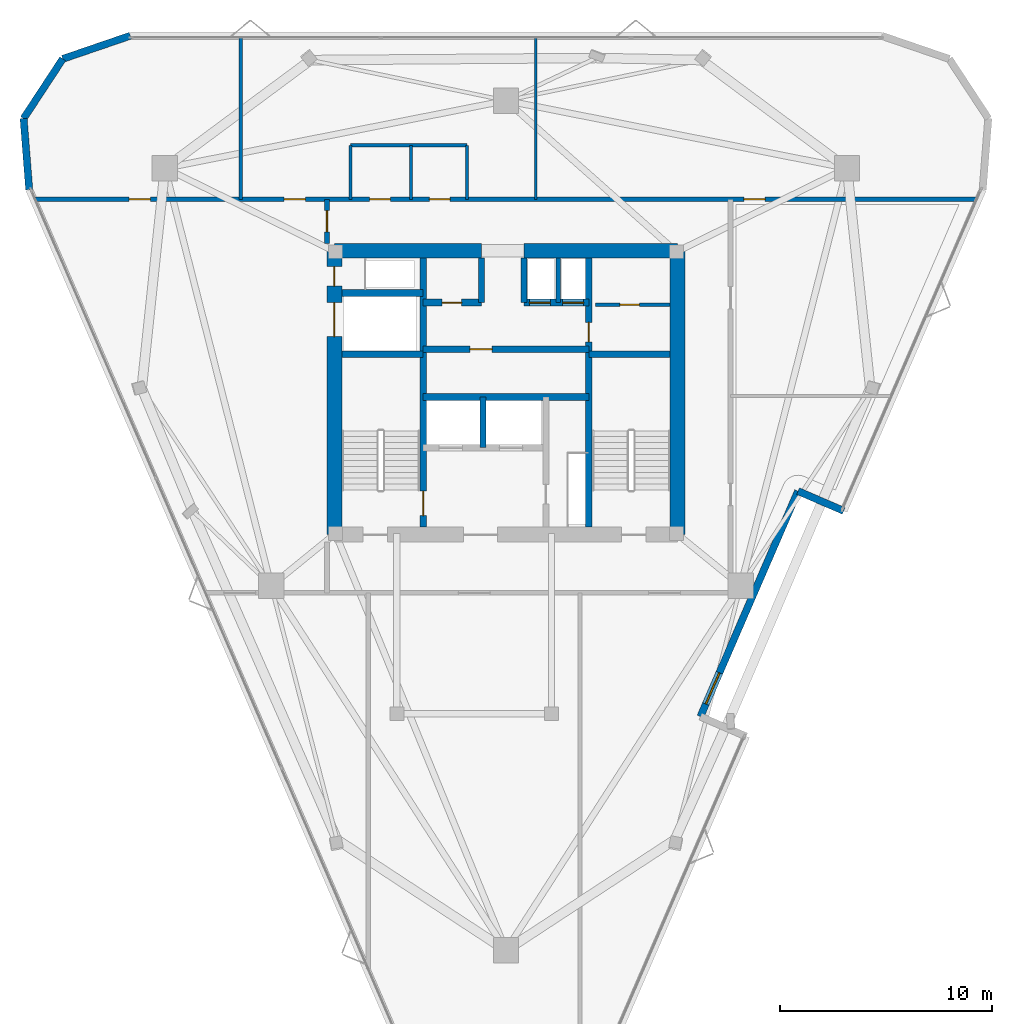
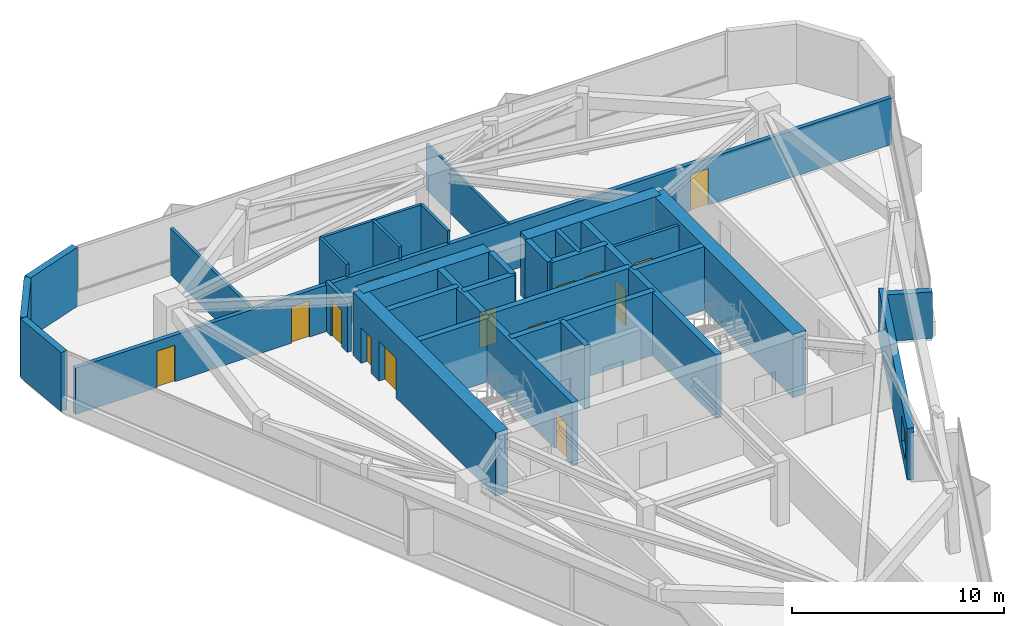
# One storey, part 8 of 10: 31 walls, 15 doors, 1 window, 16 openings.
"""IFC4 building model written with IfcOpenShell, lengths in metres."""

import ifcopenshell
import ifcopenshell.guid

model = None  # the IFC model being written
_history = None  # IfcOwnerHistory: only IFC2X3 demands one
_inside = {}  # id of a spatial element -> (the spatial element, [elements in it])
_under = {}  # id of a project, library or spatial element -> (it, [spatial elements below it])
_declared = {}  # id of a project -> (the project, [libraries it declares])
_typed = {}  # id of a type object -> (the type object, [elements of that type])
_made_of = {}  # id of a material, layer set ... -> (it, [elements and type objects made of it])


def new_model(schema):
    """Start an empty IFC model of exactly this schema.

    Asked for "IFC4X3", IfcOpenShell would pick the latest addendum, in which some entities
    have other attributes; the version numbers below select the first issue.
    IFC2X3 requires an IfcOwnerHistory on every rooted entity: one is made here for all.
    """
    global model, _history
    if schema == "IFC4X3":
        model = ifcopenshell.file(schema_version=(4, 3, 0, 0))
    else:
        model = ifcopenshell.file(schema=schema)
    _inside.clear()
    _under.clear()
    _declared.clear()
    _typed.clear()
    _made_of.clear()
    _history = None
    if model.schema == "IFC2X3":
        org = make("IfcOrganization", Name="unknown")
        user = make(
            "IfcPersonAndOrganization",
            ThePerson=make("IfcPerson", FamilyName="unknown"),
            TheOrganization=org,
        )
        app = make(
            "IfcApplication",
            ApplicationDeveloper=org,
            Version="unknown",
            ApplicationFullName="unknown",
            ApplicationIdentifier="unknown",
        )
        _history = make(
            "IfcOwnerHistory",
            OwningUser=user,
            OwningApplication=app,
            ChangeAction="ADDED",
            CreationDate=0,
        )
    return model


def make(cls, **values):
    """One entity of the class cls with the attributes given. An attribute that is None is left unset."""
    return model.create_entity(
        cls, **{name: value for name, value in values.items() if value is not None}
    )


def rooted(cls, **values):
    """An entity with a GlobalId (a new one), such as an element, a storey or a relation."""
    return make(cls, GlobalId=ifcopenshell.guid.new(), OwnerHistory=_history, **values)


def si_unit(unit_type, name, prefix=None):
    """IfcSIUnit, for example si_unit("LENGTHUNIT", "METRE", prefix="MILLI")."""
    return make("IfcSIUnit", UnitType=unit_type, Prefix=prefix, Name=name)


def assignment(units):
    """IfcUnitAssignment: the units of a project."""
    return None if units is None else make("IfcUnitAssignment", Units=units)


def point(xyz):
    """IfcCartesianPoint."""
    return None if xyz is None else make("IfcCartesianPoint", Coordinates=xyz)


def direction(xyz):
    """IfcDirection."""
    return None if xyz is None else make("IfcDirection", DirectionRatios=xyz)


def frame(location, z_axis=None, x_axis=None):
    """IfcAxis2Placement3D, a coordinate frame: its origin and axes. An axis left out is left unset."""
    return make(
        "IfcAxis2Placement3D",
        Location=point(location),
        Axis=direction(z_axis),
        RefDirection=direction(x_axis),
    )


def frame_2d(location, x_axis=None):
    """IfcAxis2Placement2D, a coordinate frame in the plane: its origin and x axis."""
    return make(
        "IfcAxis2Placement2D", Location=point(location), RefDirection=direction(x_axis)
    )


def origin():
    """The frame at (0, 0, 0) with its axes left unset."""
    return frame((0.0, 0.0, 0.0))


def place(relative_to, where):
    """IfcLocalPlacement: puts the frame where relative to a parent placement (None: the world)."""
    return make(
        "IfcLocalPlacement", PlacementRelTo=relative_to, RelativePlacement=where
    )


def context(
    kind, dimensions, precision=None, world=None, true_north=None, identifier=None
):
    """IfcGeometricRepresentationContext, for example the 3D "Model" context."""
    return make(
        "IfcGeometricRepresentationContext",
        ContextIdentifier=identifier,
        ContextType=kind,
        CoordinateSpaceDimension=dimensions,
        Precision=precision,
        WorldCoordinateSystem=world,
        TrueNorth=true_north,
    )


def subcontext(parent, identifier, kind, view, scale=None):
    """IfcGeometricRepresentationSubContext, for example "Body" below "Model"."""
    return make(
        "IfcGeometricRepresentationSubContext",
        ContextIdentifier=identifier,
        ContextType=kind,
        ParentContext=parent,
        TargetScale=scale,
        TargetView=view,
    )


def project(units=None, contexts=None):
    """IfcProject with its units and contexts."""
    return rooted(
        "IfcProject",
        Name="project",
        RepresentationContexts=contexts,
        UnitsInContext=assignment(units),
    )


def spatial(cls, under=None, at=None, **own):
    """A site, building, storey or space (cls), placed at a placement, below another one or the project."""
    s = rooted(cls, ObjectPlacement=at, **own)
    if under is not None:
        _under.setdefault(under.id(), (under, []))[1].append(s)
    return s


def profile(cls, at=None, kind="AREA", **sizes):
    """A parametric profile (cls). Its sizes go by their IFC names, for example OverallWidth=200.0."""
    return make(cls, ProfileType=kind, Position=at, **sizes)


def rectangle(**sizes):
    """IfcRectangleProfileDef."""
    return profile("IfcRectangleProfileDef", **sizes)


def extrude(swept, where, along, depth):
    """IfcExtrudedAreaSolid: the profile swept, set in the frame where, extruded along a direction by depth."""
    return make(
        "IfcExtrudedAreaSolid",
        SweptArea=swept,
        Position=where,
        ExtrudedDirection=direction(along),
        Depth=depth,
    )


def shape(context_of_items, identifier, shape_type, items):
    """IfcShapeRepresentation: the items that make up one representation, for example the "Body"."""
    return make(
        "IfcShapeRepresentation",
        ContextOfItems=context_of_items,
        RepresentationIdentifier=identifier,
        RepresentationType=shape_type,
        Items=items,
    )


def material(Name=None, Category=None):
    """IfcMaterial."""
    return make("IfcMaterial", Name=Name, Category=Category)


def layer(
    of_material, thickness, ventilated=None, Name=None, Category=None, Priority=None
):
    """IfcMaterialLayer: one layer of a wall or slab, of a material (None: an air gap)."""
    return make(
        "IfcMaterialLayer",
        Material=of_material,
        LayerThickness=thickness,
        IsVentilated=ventilated,
        Name=Name,
        Category=Category,
        Priority=Priority,
    )


def layer_set(layers, Name=None):
    """IfcMaterialLayerSet."""
    return make("IfcMaterialLayerSet", MaterialLayers=layers, LayerSetName=Name)


def made_of(thing, what):
    """Note that an element or type object is made of a material, layer set ...; save() writes the relation."""
    if what is not None:
        _made_of.setdefault(what.id(), (what, []))[1].append(thing)
    return thing


def type_object(cls, material=None, **own):
    """A type object (cls), such as IfcWallType, which elements share."""
    return made_of(rooted(cls, **own), material)


def element(
    cls,
    number,
    at=None,
    inside=None,
    cuts=None,
    type_object=None,
    material=None,
    context=None,
    identifier="Body",
    shape_type=None,
    held_by="IfcProductDefinitionShape",
    body=None,
    shapes=None,
    **own,
):
    """One element of the class cls, such as IfcWall. Its Tag is "e" and its number.

    at: its placement. inside: the storey or other place that contains it. cuts: it is an
    opening in that element (IfcRelVoidsElement). A single representation is given by context,
    identifier, shape_type and body (its items); several are given by shapes. held_by: the class
    of the entity that holds the representations. save() writes the other relations.
    """
    e = rooted(cls, Tag="e%d" % number, ObjectPlacement=at, **own)
    if body is not None:
        shapes = [shape(context, identifier, shape_type, body)]
    if shapes is not None:
        e.Representation = make(held_by, Representations=shapes)
    if inside is not None:
        _inside.setdefault(inside.id(), (inside, []))[1].append(e)
    if cuts is not None:
        rooted(
            "IfcRelVoidsElement", RelatingBuildingElement=cuts, RelatedOpeningElement=e
        )
    if type_object is not None:
        _typed.setdefault(type_object.id(), (type_object, []))[1].append(e)
    return made_of(e, material)


def fill(opening, filler):
    """IfcRelFillsElement: the door or window that sits in an opening."""
    return rooted(
        "IfcRelFillsElement",
        RelatingOpeningElement=opening,
        RelatedBuildingElement=filler,
    )


def aggregate(whole, parts):
    """IfcRelAggregates: a whole, such as a stair, and the parts it consists of."""
    return rooted("IfcRelAggregates", RelatingObject=whole, RelatedObjects=parts)


def save(model, path):
    """Write the relations noted so far, then the file.

    IfcRelAggregates (storeys below a building ...), IfcRelContainedInSpatialStructure (elements
    in a storey), IfcRelDefinesByType, IfcRelAssociatesMaterial and IfcRelDeclares: one each for
    every whole, place, type object, material and project.
    """
    for whole, parts in _under.values():
        aggregate(whole, parts)
    for where, things in _inside.values():
        rooted(
            "IfcRelContainedInSpatialStructure",
            RelatedElements=things,
            RelatingStructure=where,
        )
    for kind, things in _typed.values():
        rooted("IfcRelDefinesByType", RelatedObjects=things, RelatingType=kind)
    for what, things in _made_of.values():
        rooted("IfcRelAssociatesMaterial", RelatedObjects=things, RelatingMaterial=what)
    for by, libraries in _declared.values():
        rooted("IfcRelDeclares", RelatingContext=by, RelatedDefinitions=libraries)
    model.write(path)


model = new_model("IFC4")

# Units and contexts
model_context = context("Model", 3, precision=1e-05, world=origin(), true_north=direction((0.0, 1.0)))
body_context = subcontext(model_context, "Body", "Model", "MODEL_VIEW")
ifc_project = project(units=[si_unit("LENGTHUNIT", "METRE"), si_unit("AREAUNIT", "SQUARE_METRE"), si_unit("VOLUMEUNIT", "CUBIC_METRE"), si_unit("PLANEANGLEUNIT", "RADIAN"), si_unit("MASSUNIT", "GRAM", prefix="KILO")], contexts=[model_context])

# Site, building, storey
site_placement = place(None, origin())
site = spatial("IfcSite", under=ifc_project, at=site_placement, CompositionType="ELEMENT")
building_placement = place(site_placement, origin())
building = spatial("IfcBuilding", under=site, at=building_placement, Name="Talyreon Biosciences Tower", CompositionType="ELEMENT")
storey_placement = place(building_placement, frame((0.0, 0.0, 257.14990234375)))
storey = spatial("IfcBuildingStorey", under=building, at=storey_placement, Name="L68", CompositionType="ELEMENT", Elevation=257.14990234375)

# Walls
ifc_material_1 = material(Name="Concrete C50/60", Category="concrete")
ifc_layer_1 = layer(ifc_material_1, 0.219970703125)
ifc_layer_set_1 = layer_set([ifc_layer_1], Name="Concrete C50/60")
wall_type_1 = type_object("IfcWallType", Name="CoreShearWall_220", PredefinedType="SHEAR", material=ifc_layer_set_1)
wall_1_placement = place(storey_placement, frame((68.4599609375, 72.25, 0.0), z_axis=(0.0, 0.0, 1.0), x_axis=(0.0, 1.0, 0.0)))
element("IfcWall", 1, at=wall_1_placement, inside=storey, type_object=wall_type_1, Name="L68 Core Shaft Wall SWPHD", PredefinedType="SHEAR", context=body_context, shape_type="SweptSolid", body=[
    extrude(rectangle(XDim=2.10009765625, YDim=0.219970703125, at=frame_2d((1.050048828125, 0.0))), origin(), (0.0, 0.0, 1.0), 3.650146484375),
])
ifc_layer_2 = layer(ifc_material_1, 0.280029296875)
ifc_layer_set_2 = layer_set([ifc_layer_2], Name="Concrete C50/60")
wall_type_2 = type_object("IfcWallType", Name="CoreShearWall_280", PredefinedType="SHEAR", material=ifc_layer_set_2)
wall_2_placement = place(storey_placement, frame((64.919921875, 65.39990234375, 0.0), z_axis=(0.0, 0.0, 1.0), x_axis=(0.0, 1.0, 0.0)))
element("IfcWall", 2, at=wall_2_placement, inside=storey, type_object=wall_type_2, Name="L68 Core Shaft Wall SWSHD1", PredefinedType="SHEAR", context=body_context, shape_type="SweptSolid", body=[
    extrude(rectangle(XDim=2.400146484375, YDim=0.280029296875, at=frame_2d((1.2001953125, 0.0))), origin(), (0.0, 0.0, 1.0), 3.650146484375),
])
for number, where, z_axis, x_axis, name in (
    (3, (64.85009765625, 72.25, 0.0), (0.0, 0.0, 1.0), (0.0, 1.0, 0.0), "L68 Core Shaft Wall SWTHW"),
    (4, (66.85009765625, 72.25, 0.0), (0.0, 0.0, 1.0), (0.0, 1.0, 0.0), "L68 Core Shaft Wall SWTHE"),
):
    element("IfcWall", number, at=place(storey_placement, frame(where, z_axis=z_axis, x_axis=x_axis)), inside=storey, type_object=wall_type_2, Name=name, PredefinedType="SHEAR", context=body_context, shape_type="SweptSolid", body=[
        extrude(rectangle(XDim=2.10009765625, YDim=0.280029296875, at=frame_2d((1.050048828125, 0.0))), origin(), (0.0, 0.0, 1.0), 3.650146484375),
    ])

# Wall, opening, door
ifc_layer_3 = layer(ifc_material_1, 0.320068359375)
ifc_layer_set_3 = layer_set([ifc_layer_3], Name="Concrete C50/60")
wall_type_3 = type_object("IfcWallType", Name="CoreShearWall_320", PredefinedType="SHEAR", material=ifc_layer_set_3)
wall_3_placement = place(storey_placement, frame((62.090087890625, 61.64990234375, 0.0), z_axis=(0.0, 0.0, 1.0), x_axis=(0.0, 1.0, 0.0)))
wall_3 = element("IfcWall", 5, at=wall_3_placement, inside=storey, type_object=wall_type_3, Name="L68 Core Shaft Wall SW1E", PredefinedType="SHEAR", context=body_context, shape_type="SweptSolid", body=[
    extrude(rectangle(XDim=12.7001953125, YDim=0.320068359375, at=frame_2d((6.35009765625, 0.0))), origin(), (0.0, 0.0, 1.0), 3.650146484375),
])
opening_1_placement = place(wall_3_placement, frame((0.550048828125, 0.0, 0.0)))
opening_1 = element("IfcOpeningElement", 6, at=opening_1_placement, cuts=wall_3, Name="Opening DR-L68-FF-ST1", PredefinedType="OPENING", context=body_context, shape_type="SweptSolid", body=[
    extrude(rectangle(XDim=1.14990234375, YDim=2.14990234375, at=frame_2d((0.574951171875, 1.074951171875))), frame((0.0, 0.169921875, 0.0), z_axis=(0.0, -1.0, 0.0), x_axis=(1.0, 0.0, 0.0)), (0.0, 0.0, 1.0), 0.340087890625),
])
ifc_material_2 = material(Name="Painted steel fire door", Category="steel")
door_type_1 = type_object("IfcDoorType", Name="StairShaftFireDoor_1150x2150", OperationType="NOTDEFINED", PredefinedType="DOOR", material=ifc_material_2)
door_1_placement = place(opening_1_placement, origin())
door_1 = element("IfcDoor", 7, at=door_1_placement, inside=storey, type_object=door_type_1, Name="L68 Core Door DR-L68-FF-ST1", OperationType="SINGLE_SWING_LEFT", OverallHeight=2.14990234375, OverallWidth=1.14990234375, PredefinedType="DOOR", context=body_context, shape_type="SweptSolid", body=[
    extrude(rectangle(XDim=1.14990234375, YDim=2.14990234375, at=frame_2d((0.574951171875, 1.074951171875))), frame((0.0, 0.02490234375, 0.0), z_axis=(0.0, -1.0, 0.0), x_axis=(1.0, 0.0, 0.0)), (0.0, 0.0, 1.0), 0.050048828125),
])
fill(opening_1, door_1)

wall_4_placement = place(storey_placement, frame((69.909912109375, 61.64990234375, 0.0), z_axis=(0.0, 0.0, 1.0), x_axis=(0.0, 1.0, 0.0)))
wall_4 = element("IfcWall", 8, at=wall_4_placement, inside=storey, type_object=wall_type_3, Name="L68 Core Shaft Wall SW2W", PredefinedType="SHEAR", context=body_context, shape_type="SweptSolid", body=[
    extrude(rectangle(XDim=12.7001953125, YDim=0.320068359375, at=frame_2d((6.35009765625, 0.0))), origin(), (0.0, 0.0, 1.0), 3.650146484375),
])
opening_2_placement = place(wall_4_placement, frame((8.75, 0.0, 0.0)))
opening_2 = element("IfcOpeningElement", 9, at=opening_2_placement, cuts=wall_4, Name="Opening DR-L68-CSRV", PredefinedType="OPENING", context=body_context, shape_type="SweptSolid", body=[
    extrude(rectangle(XDim=0.919921875, YDim=2.050048828125, at=frame_2d((0.4599609375, 1.02490234375))), frame((0.0, 0.169921875, 0.0), z_axis=(0.0, -1.0, 0.0), x_axis=(1.0, 0.0, 0.0)), (0.0, 0.0, 1.0), 0.340087890625),
])
ifc_material_3 = material(Name="Painted steel fire-rated riser door", Category="steel")
door_type_2 = type_object("IfcDoorType", Name="RiserPlantAccessDoor_920x2050", OperationType="NOTDEFINED", PredefinedType="DOOR", material=ifc_material_3)
door_2_placement = place(opening_2_placement, origin())
door_2 = element("IfcDoor", 10, at=door_2_placement, inside=storey, type_object=door_type_2, Name="L68 Core Door DR-L68-CSRV", OperationType="SINGLE_SWING_RIGHT", OverallHeight=2.050048828125, OverallWidth=0.919921875, PredefinedType="DOOR", context=body_context, shape_type="SweptSolid", body=[
    extrude(rectangle(XDim=0.919921875, YDim=2.050048828125, at=frame_2d((0.4599609375, 1.02490234375))), frame((0.0, 0.02490234375, 0.0), z_axis=(0.0, -1.0, 0.0), x_axis=(1.0, 0.0, 0.0)), (0.0, 0.0, 1.0), 0.050048828125),
])
fill(opening_2, door_2)

# Walls
for number, where, z_axis, x_axis, name in (
    (11, (58.25, 69.81005859375, 0.0), (0.0, 0.0, 1.0), (1.0, 0.0, 0.0), "L68 Core Shaft Wall SW1N"),
    (12, (69.909912109375, 69.81005859375, 0.0), (0.0, 0.0, 1.0), (1.0, 0.0, 0.0), "L68 Core Shaft Wall SW2N"),
    (13, (58.25, 72.699951171875, 0.0), (0.0, 0.0, 1.0), (1.0, 0.0, 0.0), "L68 Core Shaft Wall SWGLN"),
):
    element("IfcWall", number, at=place(storey_placement, frame(where, z_axis=z_axis, x_axis=x_axis)), inside=storey, type_object=wall_type_3, Name=name, PredefinedType="SHEAR", context=body_context, shape_type="SweptSolid", body=[
        extrude(rectangle(XDim=3.840087890625, YDim=0.320068359375, at=frame_2d((1.919921875, 0.0))), origin(), (0.0, 0.0, 1.0), 3.650146484375),
    ])
wall_5_placement = place(storey_placement, frame((62.090087890625, 67.800048828125, 0.0), z_axis=(0.0, 0.0, 1.0), x_axis=(1.0, 0.0, 0.0)))
element("IfcWall", 14, at=wall_5_placement, inside=storey, type_object=wall_type_3, Name="L68 Core Shaft Wall SWSHM", PredefinedType="SHEAR", context=body_context, shape_type="SweptSolid", body=[
    extrude(rectangle(XDim=7.81982421875, YDim=0.320068359375, at=frame_2d((3.909912109375, 0.0))), origin(), (0.0, 0.0, 1.0), 3.650146484375),
])

# Wall, opening, door
wall_6_placement = place(storey_placement, frame((62.090087890625, 70.050048828125, 0.0), z_axis=(0.0, 0.0, 1.0), x_axis=(1.0, 0.0, 0.0)))
wall_6 = element("IfcWall", 15, at=wall_6_placement, inside=storey, type_object=wall_type_3, Name="L68 Core Shaft Wall SWSPN", PredefinedType="SHEAR", context=body_context, shape_type="SweptSolid", body=[
    extrude(rectangle(XDim=7.81982421875, YDim=0.320068359375, at=frame_2d((3.909912109375, 0.0))), origin(), (0.0, 0.0, 1.0), 3.650146484375),
])
opening_3_placement = place(wall_6_placement, frame((2.199951171875, 0.0, 0.0)))
opening_3 = element("IfcOpeningElement", 16, at=opening_3_placement, cuts=wall_6, Name="Opening DR-L68-PLPMFREE", PredefinedType="OPENING", context=body_context, shape_type="SweptSolid", body=[
    extrude(rectangle(XDim=1.050048828125, YDim=2.14990234375, at=frame_2d((0.52490234375, 1.074951171875))), frame((0.0, 0.169921875, 0.0), z_axis=(0.0, -1.0, 0.0), x_axis=(1.0, 0.0, 0.0)), (0.0, 0.0, 1.0), 0.340087890625),
])
ifc_material_4 = material(Name="Acoustic timber-core laboratory door", Category="wood")
door_type_3 = type_object("IfcDoorType", Name="DryLabSingleDoor_1050x2150", OperationType="NOTDEFINED", PredefinedType="DOOR", material=ifc_material_4)
door_3_placement = place(opening_3_placement, origin())
door_3 = element("IfcDoor", 17, at=door_3_placement, inside=storey, type_object=door_type_3, Name="L68 Core Door DR-L68-PLPMFREE", OperationType="SINGLE_SWING_LEFT", OverallHeight=2.14990234375, OverallWidth=1.050048828125, PredefinedType="DOOR", context=body_context, shape_type="SweptSolid", body=[
    extrude(rectangle(XDim=1.050048828125, YDim=2.14990234375, at=frame_2d((0.52490234375, 1.074951171875))), frame((0.0, 0.02490234375, 0.0), z_axis=(0.0, -1.0, 0.0), x_axis=(1.0, 0.0, 0.0)), (0.0, 0.0, 1.0), 0.050048828125),
])
fill(opening_3, door_3)

wall_7_placement = place(storey_placement, frame((62.090087890625, 72.25, 0.0), z_axis=(0.0, 0.0, 1.0), x_axis=(1.0, 0.0, 0.0)))
wall_7 = element("IfcWall", 18, at=wall_7_placement, inside=storey, type_object=wall_type_3, Name="L68 Core Shaft Wall SWNPW", PredefinedType="SHEAR", context=body_context, shape_type="SweptSolid", body=[
    extrude(rectangle(XDim=2.760009765625, YDim=0.320068359375, at=frame_2d((1.3798828125, 0.0))), origin(), (0.0, 0.0, 1.0), 3.650146484375),
])
opening_4_placement = place(wall_7_placement, frame((0.89990234375, 0.0, 0.0)))
opening_4 = element("IfcOpeningElement", 19, at=opening_4_placement, cuts=wall_7, Name="Opening DR-L68-PM2FREE", PredefinedType="OPENING", context=body_context, shape_type="SweptSolid", body=[
    extrude(rectangle(XDim=0.919921875, YDim=2.050048828125, at=frame_2d((0.4599609375, 1.02490234375))), frame((0.0, 0.169921875, 0.0), z_axis=(0.0, -1.0, 0.0), x_axis=(1.0, 0.0, 0.0)), (0.0, 0.0, 1.0), 0.340087890625),
])
door_4_placement = place(opening_4_placement, origin())
door_4 = element("IfcDoor", 20, at=door_4_placement, inside=storey, type_object=door_type_2, Name="L68 Core Door DR-L68-PM2FREE", OperationType="SINGLE_SWING_RIGHT", OverallHeight=2.050048828125, OverallWidth=0.919921875, PredefinedType="DOOR", context=body_context, shape_type="SweptSolid", body=[
    extrude(rectangle(XDim=0.919921875, YDim=2.050048828125, at=frame_2d((0.4599609375, 1.02490234375))), frame((0.0, 0.02490234375, 0.0), z_axis=(0.0, -1.0, 0.0), x_axis=(1.0, 0.0, 0.0)), (0.0, 0.0, 1.0), 0.050048828125),
])
fill(opening_4, door_4)

# Wall, openings, doors
wall_8_placement = place(storey_placement, frame((66.85009765625, 72.25, 0.0), z_axis=(0.0, 0.0, 1.0), x_axis=(1.0, 0.0, 0.0)))
wall_8 = element("IfcWall", 21, at=wall_8_placement, inside=storey, type_object=wall_type_3, Name="L68 Core Shaft Wall SWNPE", PredefinedType="SHEAR", context=body_context, shape_type="SweptSolid", body=[
    extrude(rectangle(XDim=3.059814453125, YDim=0.320068359375, at=frame_2d((1.52978515625, 0.0))), origin(), (0.0, 0.0, 1.0), 3.650146484375),
])
opening_5_placement = place(wall_8_placement, frame((0.25, 0.0, 0.0)))
opening_5 = element("IfcOpeningElement", 22, at=opening_5_placement, cuts=wall_8, Name="Opening LD-L68-PH1", PredefinedType="OPENING", context=body_context, shape_type="SweptSolid", body=[
    extrude(rectangle(XDim=1.0, YDim=2.199951171875, at=frame_2d((0.5, 1.10009765625))), frame((0.0, 0.169921875, 0.0), z_axis=(0.0, -1.0, 0.0), x_axis=(1.0, 0.0, 0.0)), (0.0, 0.0, 1.0), 0.340087890625),
])
opening_6_placement = place(wall_8_placement, frame((1.820068359375, 0.0, 0.0)))
opening_6 = element("IfcOpeningElement", 23, at=opening_6_placement, cuts=wall_8, Name="Opening LD-L68-PH2", PredefinedType="OPENING", context=body_context, shape_type="SweptSolid", body=[
    extrude(rectangle(XDim=1.0, YDim=2.199951171875, at=frame_2d((0.5, 1.10009765625))), frame((0.0, 0.169921875, 0.0), z_axis=(0.0, -1.0, 0.0), x_axis=(1.0, 0.0, 0.0)), (0.0, 0.0, 1.0), 0.340087890625),
])
ifc_material_5 = material(Name="Brushed stainless-steel lift landing door", Category="steel")
door_type_4 = type_object("IfcDoorType", Name="LiftSlidingLandingDoor_1100x2200", OperationType="SLIDING_TO_LEFT", PredefinedType="DOOR", material=ifc_material_5)
door_5_placement = place(opening_5_placement, origin())
door_5 = element("IfcDoor", 24, at=door_5_placement, inside=storey, type_object=door_type_4, Name="L68 Core Door LD-L68-PH1", OperationType="SLIDING_TO_LEFT", OverallHeight=2.199951171875, OverallWidth=1.0, PredefinedType="DOOR", context=body_context, shape_type="SweptSolid", body=[
    extrude(rectangle(XDim=1.0, YDim=2.199951171875, at=frame_2d((0.5, 1.10009765625))), frame((0.0, 0.02490234375, 0.0), z_axis=(0.0, -1.0, 0.0), x_axis=(1.0, 0.0, 0.0)), (0.0, 0.0, 1.0), 0.050048828125),
])
fill(opening_5, door_5)
door_6_placement = place(opening_6_placement, origin())
door_6 = element("IfcDoor", 25, at=door_6_placement, inside=storey, type_object=door_type_4, Name="L68 Core Door LD-L68-PH2", OperationType="SLIDING_TO_LEFT", OverallHeight=2.199951171875, OverallWidth=1.0, PredefinedType="DOOR", context=body_context, shape_type="SweptSolid", body=[
    extrude(rectangle(XDim=1.0, YDim=2.199951171875, at=frame_2d((0.5, 1.10009765625))), frame((0.0, 0.02490234375, 0.0), z_axis=(0.0, -1.0, 0.0), x_axis=(1.0, 0.0, 0.0)), (0.0, 0.0, 1.0), 0.050048828125),
])
fill(opening_6, door_6)

# Walls
ifc_layer_4 = layer(ifc_material_1, 0.699951171875)
ifc_layer_set_4 = layer_set([ifc_layer_4], Name="Concrete C50/60")
wall_type_4 = type_object("IfcWallType", Name="CoreShearWall_700", PredefinedType="SHEAR", material=ifc_layer_set_4)
wall_9_placement = place(storey_placement, frame((74.10009765625, 61.300048828125, 0.0), z_axis=(0.0, 0.0, 1.0), x_axis=(0.0, 1.0, 0.0)))
element("IfcWall", 26, at=wall_9_placement, inside=storey, type_object=wall_type_4, Name="L68 Core Shear Wall E", PredefinedType="SHEAR", context=body_context, shape_type="SweptSolid", body=[
    extrude(rectangle(XDim=13.39990234375, YDim=0.699951171875, at=frame_2d((6.699951171875, 0.0))), origin(), (0.0, 0.0, 1.0), 3.650146484375),
])
wall_10_placement = place(storey_placement, frame((74.10009765625, 74.699951171875, 0.0), z_axis=(0.0, 0.0, 1.0), x_axis=(-1.0, 0.0, 0.0)))
element("IfcWall", 27, at=wall_10_placement, inside=storey, type_object=wall_type_4, Name="L68 Core Shear Wall NE", PredefinedType="SHEAR", context=body_context, shape_type="SweptSolid", body=[
    extrude(rectangle(XDim=7.25, YDim=0.699951171875, at=frame_2d((3.625, 0.0))), origin(), (0.0, 0.0, 1.0), 3.650146484375),
])
wall_11_placement = place(storey_placement, frame((64.85009765625, 74.699951171875, 0.0), z_axis=(0.0, 0.0, 1.0), x_axis=(-1.0, 0.0, 0.0)))
element("IfcWall", 28, at=wall_11_placement, inside=storey, type_object=wall_type_4, Name="L68 Core Shear Wall NW", PredefinedType="SHEAR", context=body_context, shape_type="SweptSolid", body=[
    extrude(rectangle(XDim=6.9501953125, YDim=0.699951171875, at=frame_2d((3.47509765625, 0.0))), origin(), (0.0, 0.0, 1.0), 3.650146484375),
])

# Wall, openings, doors
wall_12_placement = place(storey_placement, frame((57.89990234375, 74.699951171875, 0.0), z_axis=(0.0, 0.0, 1.0), x_axis=(0.0, -1.0, 0.0)))
wall_12 = element("IfcWall", 29, at=wall_12_placement, inside=storey, type_object=wall_type_4, Name="L68 Core Shear Wall W", PredefinedType="SHEAR", context=body_context, shape_type="SweptSolid", body=[
    extrude(rectangle(XDim=13.39990234375, YDim=0.699951171875, at=frame_2d((6.699951171875, 0.0))), origin(), (0.0, 0.0, 1.0), 3.650146484375),
])
opening_7_placement = place(wall_12_placement, frame((0.75, 0.0, 0.0)))
opening_7 = element("IfcOpeningElement", 30, at=opening_7_placement, cuts=wall_12, Name="Opening DR-L68-RSW", PredefinedType="OPENING", context=body_context, shape_type="SweptSolid", body=[
    extrude(rectangle(XDim=0.919921875, YDim=2.050048828125, at=frame_2d((0.4599609375, 1.02490234375))), frame((0.0, 0.35986328125, 0.0), z_axis=(0.0, -1.0, 0.0), x_axis=(1.0, 0.0, 0.0)), (0.0, 0.0, 1.0), 0.719970703125),
])
opening_8_placement = place(wall_12_placement, frame((2.449951171875, 0.0, 0.0)))
opening_8 = element("IfcOpeningElement", 31, at=opening_8_placement, cuts=wall_12, Name="Opening LD-L68-GL1", PredefinedType="OPENING", context=body_context, shape_type="SweptSolid", body=[
    extrude(rectangle(XDim=1.60009765625, YDim=2.300048828125, at=frame_2d((0.800048828125, 1.14990234375))), frame((0.0, 0.35986328125, 0.0), z_axis=(0.0, -1.0, 0.0), x_axis=(1.0, 0.0, 0.0)), (0.0, 0.0, 1.0), 0.719970703125),
])
ifc_material_6 = material(Name="Heavy-duty stainless-steel goods lift door", Category="steel")
door_type_5 = type_object("IfcDoorType", Name="GoodsLiftSlidingDoor_1600x2300", OperationType="DOUBLE_DOOR_SLIDING", PredefinedType="DOOR", material=ifc_material_6)
door_7_placement = place(opening_8_placement, origin())
door_7 = element("IfcDoor", 32, at=door_7_placement, inside=storey, type_object=door_type_5, Name="L68 Core Door LD-L68-GL1", OperationType="DOUBLE_DOOR_SLIDING", OverallHeight=2.300048828125, OverallWidth=1.60009765625, PredefinedType="DOOR", context=body_context, shape_type="SweptSolid", body=[
    extrude(rectangle(XDim=1.60009765625, YDim=2.300048828125, at=frame_2d((0.800048828125, 1.14990234375))), frame((0.0, 0.02490234375, 0.0), z_axis=(0.0, -1.0, 0.0), x_axis=(1.0, 0.0, 0.0)), (0.0, 0.0, 1.0), 0.050048828125),
])
fill(opening_8, door_7)
door_8_placement = place(opening_7_placement, origin())
door_8 = element("IfcDoor", 33, at=door_8_placement, inside=storey, type_object=door_type_2, Name="L68 Core Door DR-L68-RSW", OperationType="SINGLE_SWING_LEFT", OverallHeight=2.050048828125, OverallWidth=0.919921875, PredefinedType="DOOR", context=body_context, shape_type="SweptSolid", body=[
    extrude(rectangle(XDim=0.919921875, YDim=2.050048828125, at=frame_2d((0.4599609375, 1.02490234375))), frame((0.0, 0.02490234375, 0.0), z_axis=(0.0, -1.0, 0.0), x_axis=(1.0, 0.0, 0.0)), (0.0, 0.0, 1.0), 0.050048828125),
])
fill(opening_7, door_8)

ifc_material_7 = material(Name="Gypsum fireboard acoustic stud", Category="gypsum")
ifc_layer_5 = layer(ifc_material_7, 0.219970703125)
ifc_layer_set_5 = layer_set([ifc_layer_5], Name="Gypsum fireboard acoustic stud")
wall_type_5 = type_object("IfcWallType", Name="CorridorRatedPartition_220", PredefinedType="PARTITIONING", material=ifc_layer_set_5)
wall_13_placement = place(storey_placement, frame((43.779052734375, 77.1298828125, 0.0), z_axis=(0.0, 0.0, 1.0), x_axis=(1.0, 0.0, 0.0)))
wall_13 = element("IfcWall", 34, at=wall_13_placement, inside=storey, type_object=wall_type_5, Name="L68 Interior Wall IW-L68-COR-N", PredefinedType="PARTITIONING", context=body_context, shape_type="SweptSolid", body=[
    extrude(rectangle(XDim=44.44189453125, YDim=0.219970703125, at=frame_2d((22.220947265625, 0.0))), origin(), (0.0, 0.0, 1.0), 2.68017578125),
])
opening_9_placement = place(wall_13_placement, frame((15.781005859375, 0.0, 0.0)))
opening_9 = element("IfcOpeningElement", 35, at=opening_9_placement, cuts=wall_13, Name="Opening DR-L68-WC", PredefinedType="OPENING", context=body_context, shape_type="SweptSolid", body=[
    extrude(rectangle(XDim=0.97998046875, YDim=2.10009765625, at=frame_2d((0.489990234375, 1.050048828125))), frame((0.0, 0.119873046875, 0.0), z_axis=(0.0, -1.0, 0.0), x_axis=(1.0, 0.0, 0.0)), (0.0, 0.0, 1.0), 0.239990234375),
])
opening_10_placement = place(wall_13_placement, frame((18.60595703125, 0.0, 0.0)))
opening_10 = element("IfcOpeningElement", 36, at=opening_10_placement, cuts=wall_13, Name="Opening DR-L68-AWC", PredefinedType="OPENING", context=body_context, shape_type="SweptSolid", body=[
    extrude(rectangle(XDim=0.97998046875, YDim=2.10009765625, at=frame_2d((0.489990234375, 1.050048828125))), frame((0.0, 0.119873046875, 0.0), z_axis=(0.0, -1.0, 0.0), x_axis=(1.0, 0.0, 0.0)), (0.0, 0.0, 1.0), 0.239990234375),
])
opening_11_placement = place(wall_13_placement, frame((4.427001953125, 0.0, 0.0)))
opening_11 = element("IfcOpeningElement", 37, at=opening_11_placement, cuts=wall_13, Name="Opening DR-L68-N1A", PredefinedType="OPENING", context=body_context, shape_type="SweptSolid", body=[
    extrude(rectangle(XDim=1.0, YDim=2.10009765625, at=frame_2d((0.5, 1.050048828125))), frame((0.0, 0.119873046875, 0.0), z_axis=(0.0, -1.0, 0.0), x_axis=(1.0, 0.0, 0.0)), (0.0, 0.0, 1.0), 0.239990234375),
])
opening_12_placement = place(wall_13_placement, frame((11.748046875, 0.0, 0.0)))
opening_12 = element("IfcOpeningElement", 38, at=opening_12_placement, cuts=wall_13, Name="Opening DR-L68-N2A", PredefinedType="OPENING", context=body_context, shape_type="SweptSolid", body=[
    extrude(rectangle(XDim=1.0, YDim=2.10009765625, at=frame_2d((0.5, 1.050048828125))), frame((0.0, 0.119873046875, 0.0), z_axis=(0.0, -1.0, 0.0), x_axis=(1.0, 0.0, 0.0)), (0.0, 0.0, 1.0), 0.239990234375),
])
opening_13_placement = place(wall_13_placement, frame((33.4560546875, 0.0, 0.0)))
opening_13 = element("IfcOpeningElement", 39, at=opening_13_placement, cuts=wall_13, Name="Opening DR-L68-N3A", PredefinedType="OPENING", context=body_context, shape_type="SweptSolid", body=[
    extrude(rectangle(XDim=1.0, YDim=2.10009765625, at=frame_2d((0.5, 1.050048828125))), frame((0.0, 0.119873046875, 0.0), z_axis=(0.0, -1.0, 0.0), x_axis=(1.0, 0.0, 0.0)), (0.0, 0.0, 1.0), 0.239990234375),
])
ifc_material_8 = material(Name="Laminate moisture-resistant door", Category="wood")
door_type_6 = type_object("IfcDoorType", Name="AccessibleToiletDoor_980x2100", OperationType="NOTDEFINED", PredefinedType="DOOR", material=ifc_material_8)
door_9_placement = place(opening_9_placement, origin())
door_9 = element("IfcDoor", 40, at=door_9_placement, inside=storey, type_object=door_type_6, Name="L68 Interior Door DR-L68-WC", OperationType="SINGLE_SWING_RIGHT", OverallHeight=2.10009765625, OverallWidth=0.97998046875, PredefinedType="DOOR", context=body_context, shape_type="SweptSolid", body=[
    extrude(rectangle(XDim=0.97998046875, YDim=2.10009765625, at=frame_2d((0.489990234375, 1.050048828125))), frame((0.0, 0.02490234375, 0.0), z_axis=(0.0, -1.0, 0.0), x_axis=(1.0, 0.0, 0.0)), (0.0, 0.0, 1.0), 0.050048828125),
])
fill(opening_9, door_9)
door_10_placement = place(opening_10_placement, origin())
door_10 = element("IfcDoor", 41, at=door_10_placement, inside=storey, type_object=door_type_6, Name="L68 Interior Door DR-L68-AWC", OperationType="SINGLE_SWING_RIGHT", OverallHeight=2.10009765625, OverallWidth=0.97998046875, PredefinedType="DOOR", context=body_context, shape_type="SweptSolid", body=[
    extrude(rectangle(XDim=0.97998046875, YDim=2.10009765625, at=frame_2d((0.489990234375, 1.050048828125))), frame((0.0, 0.02490234375, 0.0), z_axis=(0.0, -1.0, 0.0), x_axis=(1.0, 0.0, 0.0)), (0.0, 0.0, 1.0), 0.050048828125),
])
fill(opening_10, door_10)
ifc_material_9 = material(Name="Acoustic oak veneer office door", Category="wood")
door_type_7 = type_object("IfcDoorType", Name="WriteupOfficeDoor_1000x2100", OperationType="NOTDEFINED", PredefinedType="DOOR", material=ifc_material_9)
door_11_placement = place(opening_11_placement, origin())
door_11 = element("IfcDoor", 42, at=door_11_placement, inside=storey, type_object=door_type_7, Name="L68 Interior Door DR-L68-N1A", OperationType="SINGLE_SWING_RIGHT", OverallHeight=2.10009765625, OverallWidth=1.0, PredefinedType="DOOR", context=body_context, shape_type="SweptSolid", body=[
    extrude(rectangle(XDim=1.0, YDim=2.10009765625, at=frame_2d((0.5, 1.050048828125))), frame((0.0, 0.02490234375, 0.0), z_axis=(0.0, -1.0, 0.0), x_axis=(1.0, 0.0, 0.0)), (0.0, 0.0, 1.0), 0.050048828125),
])
fill(opening_11, door_11)
door_12_placement = place(opening_12_placement, origin())
door_12 = element("IfcDoor", 43, at=door_12_placement, inside=storey, type_object=door_type_7, Name="L68 Interior Door DR-L68-N2A", OperationType="SINGLE_SWING_RIGHT", OverallHeight=2.10009765625, OverallWidth=1.0, PredefinedType="DOOR", context=body_context, shape_type="SweptSolid", body=[
    extrude(rectangle(XDim=1.0, YDim=2.10009765625, at=frame_2d((0.5, 1.050048828125))), frame((0.0, 0.02490234375, 0.0), z_axis=(0.0, -1.0, 0.0), x_axis=(1.0, 0.0, 0.0)), (0.0, 0.0, 1.0), 0.050048828125),
])
fill(opening_12, door_12)
door_13_placement = place(opening_13_placement, origin())
door_13 = element("IfcDoor", 44, at=door_13_placement, inside=storey, type_object=door_type_7, Name="L68 Interior Door DR-L68-N3A", OperationType="SINGLE_SWING_RIGHT", OverallHeight=2.10009765625, OverallWidth=1.0, PredefinedType="DOOR", context=body_context, shape_type="SweptSolid", body=[
    extrude(rectangle(XDim=1.0, YDim=2.10009765625, at=frame_2d((0.5, 1.050048828125))), frame((0.0, 0.02490234375, 0.0), z_axis=(0.0, -1.0, 0.0), x_axis=(1.0, 0.0, 0.0)), (0.0, 0.0, 1.0), 0.050048828125),
])
fill(opening_13, door_13)

# Wall, opening, door
wall_14_placement = place(storey_placement, frame((57.550048828125, 75.050048828125, 0.0), z_axis=(0.0, 0.0, 1.0), x_axis=(0.0, 1.0, 0.0)))
wall_14 = element("IfcWall", 45, at=wall_14_placement, inside=storey, type_object=wall_type_5, Name="L68 Interior Wall IW-L68-WCAP-N", PredefinedType="PARTITIONING", context=body_context, shape_type="SweptSolid", body=[
    extrude(rectangle(XDim=2.079833984375, YDim=0.219970703125, at=frame_2d((1.0400390625, 0.0))), origin(), (0.0, 0.0, 1.0), 2.830078125),
])
opening_14_placement = place(wall_14_placement, frame((0.5400390625, 0.0, 0.0)))
opening_14 = element("IfcOpeningElement", 46, at=opening_14_placement, cuts=wall_14, Name="Opening DR-L68-W1A", PredefinedType="OPENING", context=body_context, shape_type="SweptSolid", body=[
    extrude(rectangle(XDim=1.0, YDim=2.10009765625, at=frame_2d((0.5, 1.050048828125))), frame((0.0, 0.119873046875, 0.0), z_axis=(0.0, -1.0, 0.0), x_axis=(1.0, 0.0, 0.0)), (0.0, 0.0, 1.0), 0.239990234375),
])
door_14_placement = place(opening_14_placement, origin())
door_14 = element("IfcDoor", 47, at=door_14_placement, inside=storey, type_object=door_type_7, Name="L68 Interior Door DR-L68-W1A", OperationType="SINGLE_SWING_LEFT", OverallHeight=2.10009765625, OverallWidth=1.0, PredefinedType="DOOR", context=body_context, shape_type="SweptSolid", body=[
    extrude(rectangle(XDim=1.0, YDim=2.10009765625, at=frame_2d((0.5, 1.050048828125))), frame((0.0, 0.02490234375, 0.0), z_axis=(0.0, -1.0, 0.0), x_axis=(1.0, 0.0, 0.0)), (0.0, 0.0, 1.0), 0.050048828125),
])
fill(opening_14, door_14)

ifc_material_10 = material(Name="Gypsum acoustic stud partition", Category="gypsum")
ifc_layer_6 = layer(ifc_material_10, 0.159912109375)
ifc_layer_set_6 = layer_set([ifc_layer_6], Name="Gypsum acoustic stud partition")
wall_type_6 = type_object("IfcWallType", Name="LabSeparationPartition_160", PredefinedType="PARTITIONING", material=ifc_layer_set_6)
wall_15_placement = place(storey_placement, frame((70.22998046875, 72.14990234375, 0.0), z_axis=(0.0, 0.0, 1.0), x_axis=(1.0, 0.0, 0.0)))
wall_15 = element("IfcWall", 48, at=wall_15_placement, inside=storey, type_object=wall_type_6, Name="L68 Interior Wall IW-L68-CSRV-H", PredefinedType="PARTITIONING", context=body_context, shape_type="SweptSolid", body=[
    extrude(rectangle(XDim=3.52001953125, YDim=0.159912109375, at=frame_2d((1.760009765625, 0.0))), origin(), (0.0, 0.0, 1.0), 3.400146484375),
])
opening_15_placement = place(wall_15_placement, frame((1.14990234375, 0.0, 0.0)))
opening_15 = element("IfcOpeningElement", 49, at=opening_15_placement, cuts=wall_15, Name="Opening DR-L68-CSRV-I", PredefinedType="OPENING", context=body_context, shape_type="SweptSolid", body=[
    extrude(rectangle(XDim=0.919921875, YDim=2.050048828125, at=frame_2d((0.4599609375, 1.02490234375))), frame((0.0, 0.08984375, 0.0), z_axis=(0.0, -1.0, 0.0), x_axis=(1.0, 0.0, 0.0)), (0.0, 0.0, 1.0), 0.179931640625),
])
door_15_placement = place(opening_15_placement, origin())
door_15 = element("IfcDoor", 50, at=door_15_placement, inside=storey, type_object=door_type_2, Name="L68 Interior Door DR-L68-CSRV-I", OperationType="SINGLE_SWING_LEFT", OverallHeight=2.050048828125, OverallWidth=0.919921875, PredefinedType="DOOR", context=body_context, shape_type="SweptSolid", body=[
    extrude(rectangle(XDim=0.919921875, YDim=2.050048828125, at=frame_2d((0.4599609375, 1.02490234375))), frame((0.0, 0.02490234375, 0.0), z_axis=(0.0, -1.0, 0.0), x_axis=(1.0, 0.0, 0.0)), (0.0, 0.0, 1.0), 0.050048828125),
])
fill(opening_15, door_15)

# Walls
wall_16_placement = place(storey_placement, frame((53.48388671875, 77.1298828125, 0.0), z_axis=(0.0, 0.0, 1.0), x_axis=(0.0, 1.0, 0.0)))
element("IfcWall", 51, at=wall_16_placement, inside=storey, type_object=wall_type_6, Name="L68 Interior Wall IW-L68-NDIV1", PredefinedType="PARTITIONING", context=body_context, shape_type="SweptSolid", body=[
    extrude(rectangle(XDim=7.63623046875, YDim=0.159912109375, at=frame_2d((3.818115234375, 0.0))), origin(), (0.0, 0.0, 1.0), 2.68017578125),
])
ifc_layer_7 = layer(ifc_material_10, 0.1298828125)
ifc_layer_set_7 = layer_set([ifc_layer_7], Name="Gypsum acoustic stud partition")
wall_type_7 = type_object("IfcWallType", Name="OfficeWriteupPartition_130", PredefinedType="PARTITIONING", material=ifc_layer_set_7)
wall_17_placement = place(storey_placement, frame((67.39990234375, 77.1298828125, 0.0), z_axis=(0.0, 0.0, 1.0), x_axis=(0.0, 1.0, 0.0)))
element("IfcWall", 52, at=wall_17_placement, inside=storey, type_object=wall_type_7, Name="L68 Interior Wall IW-L68-NDIV2", PredefinedType="PARTITIONING", context=body_context, shape_type="SweptSolid", body=[
    extrude(rectangle(XDim=7.63623046875, YDim=0.1298828125, at=frame_2d((3.818115234375, 0.0))), origin(), (0.0, 0.0, 1.0), 2.68017578125),
])
ifc_material_11 = material(Name="Precast concrete C45/55", Category="concrete")
ifc_layer_8 = layer(ifc_material_11, 0.340087890625)
ifc_layer_set_8 = layer_set([ifc_layer_8], Name="Precast concrete C45/55")
wall_type_8 = type_object("IfcWallType", Name="PrecastConcreteSpandrelWall_340", PredefinedType="STANDARD", material=ifc_layer_set_8)
for number, where, z_axis, x_axis, name in (
    (53, (43.489501953125, 77.58544921875, 0.0), (0.0, 0.0, 1.0), (-0.078558440607, 0.996909510141, 0.0), "L68 Rounded-Corner Concrete Pier 00"),
    (54, (43.224853515625, 80.94384765625, 0.0), (0.0, 0.0, 1.0), (0.548950833431, 0.835854641953, 0.0), "L68 Rounded-Corner Concrete Pier 01"),
    (55, (45.07421875, 83.759765625, 0.0), (0.0, 0.0, 1.0), (0.946079263446, 0.323935220805, 0.0), "L68 Rounded-Corner Concrete Pier 02"),
):
    element("IfcWall", number, at=place(storey_placement, frame(where, z_axis=z_axis, x_axis=x_axis)), inside=storey, type_object=wall_type_8, Name=name, PredefinedType="STANDARD", context=body_context, shape_type="SweptSolid", body=[
        extrude(rectangle(XDim=3.368896484375, YDim=0.340087890625, at=frame_2d((1.6845703125, 0.0))), origin(), (0.0, 0.0, 1.0), 3.400146484375),
    ])
wall_18_placement = place(storey_placement, frame((81.9453125, 62.4169921875, 0.0), z_axis=(0.0, 0.0, 1.0), x_axis=(-0.917693285343, 0.397289609776, 0.0)))
element("IfcWall", 56, at=wall_18_placement, inside=storey, type_object=wall_type_8, Name="L68 Terrace Backing Concrete Wall 08", PredefinedType="STANDARD", context=body_context, shape_type="SweptSolid", body=[
    extrude(rectangle(XDim=2.349853515625, YDim=0.340087890625, at=frame_2d((1.1748046875, 0.0))), origin(), (0.0, 0.0, 1.0), 2.68017578125),
])

# Wall, opening, window
wall_19_placement = place(storey_placement, frame((79.788818359375, 63.3505859375, 0.0), z_axis=(0.0, 0.0, 1.0), x_axis=(-0.397234117427, -0.91771730721, 0.0)))
wall_19 = element("IfcWall", 57, at=wall_19_placement, inside=storey, type_object=wall_type_8, Name="L68 Terrace Backing Concrete Wall 09", PredefinedType="STANDARD", context=body_context, shape_type="SweptSolid", body=[
    extrude(rectangle(XDim=11.60009765625, YDim=0.340087890625, at=frame_2d((5.800048828125, 0.0))), origin(), (0.0, 0.0, 1.0), 2.97998046875),
])
opening_16_placement = place(wall_19_placement, frame((9.35009765625, 0.0, 0.699951171875)))
opening_16 = element("IfcOpeningElement", 58, at=opening_16_placement, cuts=wall_19, Name="Opening W06", PredefinedType="OPENING", context=body_context, shape_type="SweptSolid", body=[
    extrude(rectangle(XDim=1.60009765625, YDim=1.5, at=frame_2d((0.800048828125, 0.75))), frame((0.0, 0.179931640625, 0.0), z_axis=(0.0, -1.0, 0.0), x_axis=(1.0, 0.0, 0.0)), (0.0, 0.0, 1.0), 0.360107421875),
])
ifc_material_12 = material(Name="Thermally broken triple low-E aluminium window", Category="aluminium")
window_type = type_object("IfcWindowType", Name="CrownLouvredWindow_1600x1500", PartitioningType="SINGLE_PANEL", PredefinedType="WINDOW", material=ifc_material_12)
window_placement = place(opening_16_placement, origin())
window = element("IfcWindow", 59, at=window_placement, inside=storey, type_object=window_type, Name="L68 Sky-Garden Loggia Window 09", OverallHeight=1.5, OverallWidth=1.60009765625, PartitioningType="SINGLE_PANEL", PredefinedType="WINDOW", context=body_context, shape_type="SweptSolid", body=[
    extrude(rectangle(XDim=1.60009765625, YDim=1.5, at=frame_2d((0.800048828125, 0.75))), frame((0.0, 0.030029296875, 0.0), z_axis=(0.0, -1.0, 0.0), x_axis=(1.0, 0.0, 0.0)), (0.0, 0.0, 1.0), 0.06005859375),
])
fill(opening_16, window)

# Walls
ifc_material_13 = material(Name="Moisture-resistant cement-board stud", Category="gypsum")
ifc_layer_9 = layer(ifc_material_13, 0.14501953125)
ifc_layer_set_9 = layer_set([ifc_layer_9], Name="Moisture-resistant cement-board stud")
wall_type_9 = type_object("IfcWallType", Name="WetRoomPartition_145", PredefinedType="PARTITIONING", material=ifc_layer_set_9)
for number, where, z_axis, x_axis, name in (
    (60, (58.64990234375, 77.1298828125, 0.0), (0.0, 0.0, 1.0), (0.0, 1.0, 0.0), "L68 Interior Wall IW-L68-WCL"),
    (61, (61.52490234375, 77.1298828125, 0.0), (0.0, 0.0, 1.0), (0.0, 1.0, 0.0), "L68 Interior Wall IW-L68-WCM"),
    (62, (64.14990234375, 77.1298828125, 0.0), (0.0, 0.0, 1.0), (0.0, 1.0, 0.0), "L68 Interior Wall IW-L68-WCR"),
):
    element("IfcWall", number, at=place(storey_placement, frame(where, z_axis=z_axis, x_axis=x_axis)), inside=storey, type_object=wall_type_9, Name=name, PredefinedType="PARTITIONING", context=body_context, shape_type="SweptSolid", body=[
        extrude(rectangle(XDim=2.550048828125, YDim=0.14501953125, at=frame_2d((1.27490234375, 0.0))), origin(), (0.0, 0.0, 1.0), 3.400146484375),
    ])
wall_20_placement = place(storey_placement, frame((58.64990234375, 79.679931640625, 0.0), z_axis=(0.0, 0.0, 1.0), x_axis=(1.0, 0.0, 0.0)))
element("IfcWall", 63, at=wall_20_placement, inside=storey, type_object=wall_type_9, Name="L68 Interior Wall IW-L68-WCT", PredefinedType="PARTITIONING", context=body_context, shape_type="SweptSolid", body=[
    extrude(rectangle(XDim=5.5, YDim=0.14501953125, at=frame_2d((2.75, 0.0))), origin(), (0.0, 0.0, 1.0), 3.400146484375),
])

save(model, "model.ifc")
